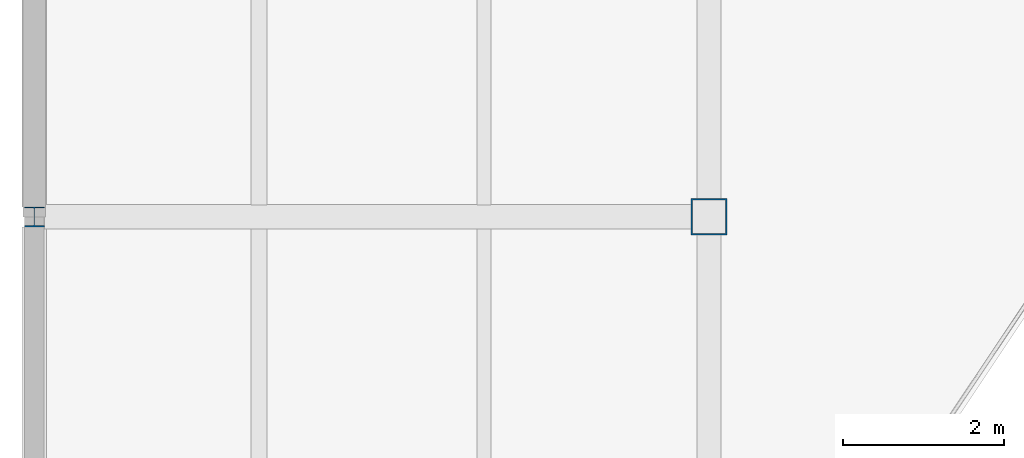
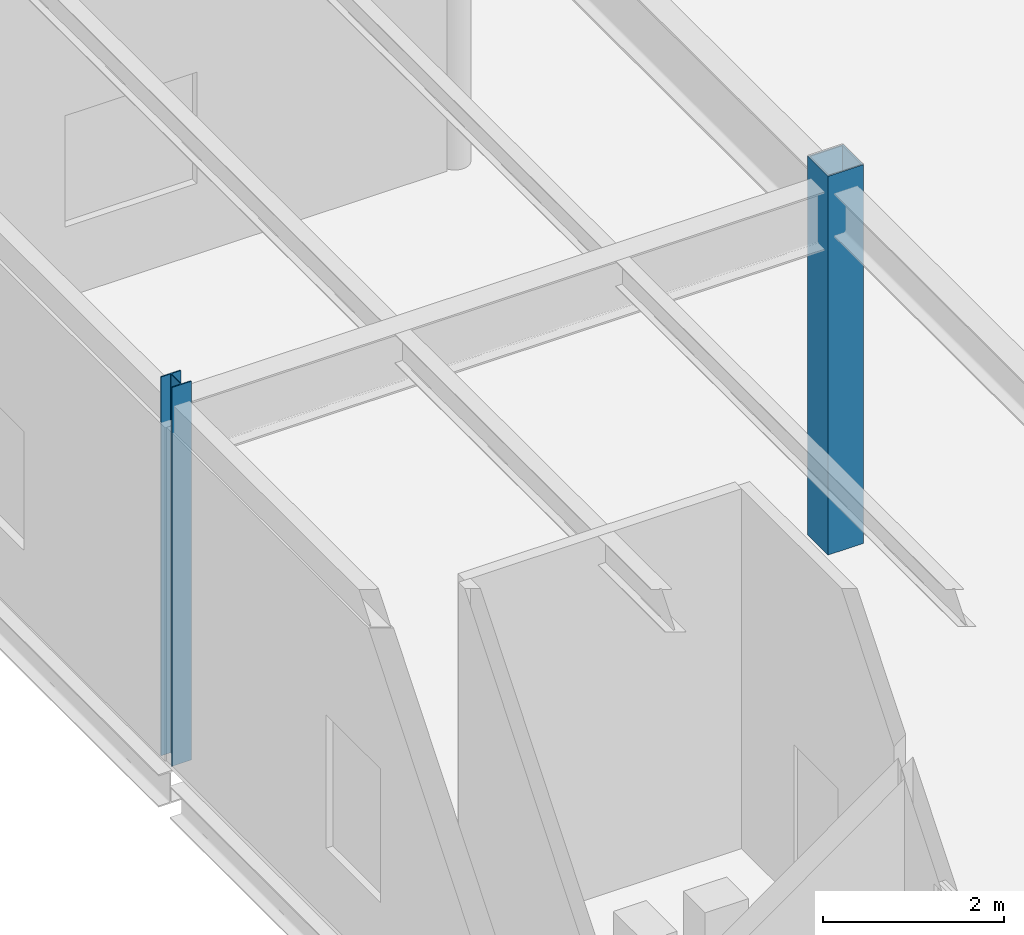
# One storey, part 4 of 57: 2 columns.
"""IFC4 building model written with IfcOpenShell, lengths in metres."""

from ifc_helpers import new_model, si_unit, direction, frame, origin, origin_2d, place, context, subcontext, project, spatial, hollow_rectangle, i_section, extrude, material, material_profile, profile_set, type_object, element, save


model = new_model("IFC4")

# Units and contexts
model_context = context("Model", 3, precision=1e-05, world=origin(), true_north=direction((0.0, 1.0)))
body_context = subcontext(model_context, "Body", "Model", "MODEL_VIEW")
ifc_project = project(units=[si_unit("LENGTHUNIT", "METRE"), si_unit("AREAUNIT", "SQUARE_METRE"), si_unit("VOLUMEUNIT", "CUBIC_METRE"), si_unit("PLANEANGLEUNIT", "RADIAN"), si_unit("MASSUNIT", "GRAM", prefix="KILO"), si_unit("THERMODYNAMICTEMPERATUREUNIT", "KELVIN")], contexts=[model_context])

# Site, building, storey
site_placement = place(None, origin())
site = spatial("IfcSite", under=ifc_project, at=site_placement, CompositionType="ELEMENT")
building_placement = place(site_placement, origin())
building = spatial("IfcBuilding", under=site, at=building_placement, Name="Lustrewick Department Store", CompositionType="ELEMENT")
storey_placement = place(building_placement, frame((0.0, 0.0, 26.699951171875)))
storey = spatial("IfcBuildingStorey", under=building, at=storey_placement, Name="L06", CompositionType="ELEMENT", Elevation=26.699951171875)

# Columns
ifc_material = material(Name="Structural steel Q355B", Category="steel")
ifc_material_profile_1 = material_profile(ifc_material, hollow_rectangle(XDim=0.449951171875, YDim=0.449951171875, WallThickness=0.01806640625, at=origin_2d()), Name="BOX 450x450x18")
ifc_profile_set_1 = profile_set([ifc_material_profile_1], Name="Structural steel Q355B")
column_type_1 = type_object("IfcColumnType", Name="C07", PredefinedType="COLUMN", material=ifc_profile_set_1)
column_1_placement = place(storey_placement, frame((16.800048828125, 75.60009765625, 0.0), z_axis=(0.0, 0.0, 1.0), x_axis=(1.0, 0.0, 0.0)))
element("IfcColumn", 1, at=column_1_placement, inside=storey, type_object=column_type_1, Name="L06 V1 Column C07", PredefinedType="COLUMN", context=body_context, shape_type="SweptSolid", body=[
    extrude(hollow_rectangle(XDim=0.449951171875, YDim=0.449951171875, WallThickness=0.01806640625, at=origin_2d()), origin(), (0.0, 0.0, 1.0), 5.10009765625),
])
ifc_material_profile_2 = material_profile(ifc_material, i_section(OverallWidth=0.25, OverallDepth=0.25, WebThickness=0.009033203125, FlangeThickness=0.013916015625, FilletRadius=0.01611328125, at=origin_2d()), Name="HW 250x250x9x14")
ifc_profile_set_2 = profile_set([ifc_material_profile_2], Name="Structural steel Q355B")
column_type_2 = type_object("IfcColumnType", Name="CE08", PredefinedType="COLUMN", material=ifc_profile_set_2)
column_2_placement = place(storey_placement, frame((8.39990234375, 75.60009765625, 0.0), z_axis=(0.0, 0.0, 1.0), x_axis=(1.0, 0.0, 0.0)))
element("IfcColumn", 2, at=column_2_placement, inside=storey, type_object=column_type_2, Name="L06 V1 Column CE08", PredefinedType="COLUMN", context=body_context, shape_type="SweptSolid", body=[
    extrude(i_section(OverallWidth=0.25, OverallDepth=0.25, WebThickness=0.009033203125, FlangeThickness=0.013916015625, FilletRadius=0.01611328125, at=origin_2d()), origin(), (0.0, 0.0, 1.0), 5.10009765625),
])

save(model, "model.ifc")
